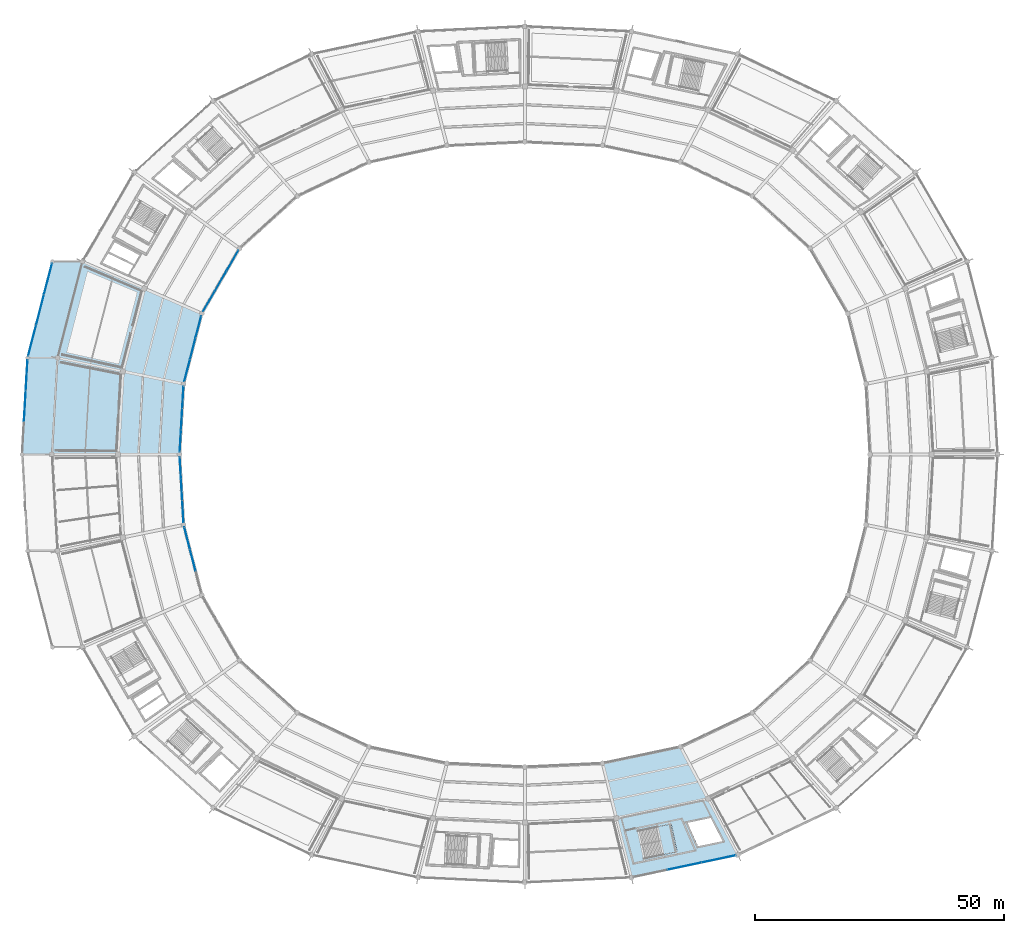
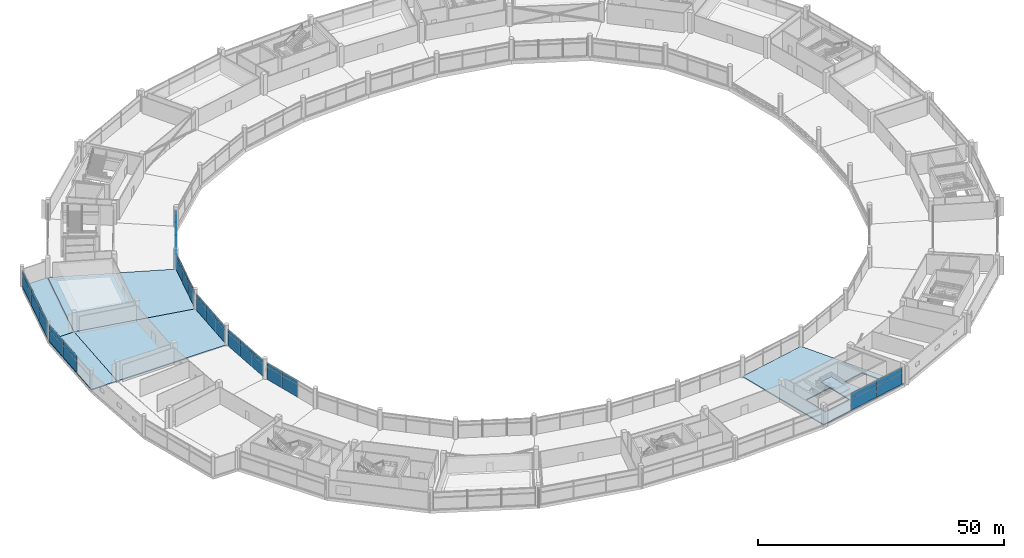
# One storey, part 139 of 184: 42 plates, 6 slabs, 9 elements without a shape of their own.
"""IFC4 building model written with IfcOpenShell, lengths in metres."""

from ifc_helpers import new_model, si_unit, direction, frame, origin, origin_2d, place, context, subcontext, project, spatial, polyline, rectangle, outline, extrude, material, layer, layer_set, type_object, element, aggregate, save


model = new_model("IFC4")

# Units and contexts
model_context = context("Model", 3, precision=1e-05, world=origin(), true_north=direction((0.0, 1.0)))
body_context = subcontext(model_context, "Body", "Model", "MODEL_VIEW")
ifc_project = project(units=[si_unit("LENGTHUNIT", "METRE"), si_unit("AREAUNIT", "SQUARE_METRE"), si_unit("VOLUMEUNIT", "CUBIC_METRE"), si_unit("PLANEANGLEUNIT", "RADIAN"), si_unit("MASSUNIT", "GRAM", prefix="KILO")], contexts=[model_context])

# Site, building, storey
site_placement = place(None, origin())
site = spatial("IfcSite", under=ifc_project, at=site_placement, CompositionType="ELEMENT")
building_placement = place(site_placement, origin())
building = spatial("IfcBuilding", under=site, at=building_placement, Name="Kazemori Nagisa Stadium", CompositionType="ELEMENT")
storey_placement = place(building_placement, frame((0.0, 0.0, 10.5400390625)))
storey = spatial("IfcBuildingStorey", under=building, at=storey_placement, Name="L02", CompositionType="ELEMENT", Elevation=10.5400390625)

# Curtain wall, plates
ifc_material_1 = material(Name="Anodised aluminium 6063-T5", Category="aluminium")
ifc_layer_1 = layer(ifc_material_1, 0.2099609375, Name="Anodised aluminium 6063-T5", Category="aluminium")
ifc_layer_set_1 = layer_set([ifc_layer_1], Name="Anodised aluminium 6063-T5")
curtain_wall_type_1 = type_object("IfcCurtainWallType", Name="CW_L02B_66", PredefinedType="USERDEFINED", material=ifc_layer_set_1)
curtain_wall_1_placement = place(storey_placement, origin())
curtain_wall_1 = element("IfcCurtainWall", 1, at=curtain_wall_1_placement, inside=storey, type_object=curtain_wall_type_1, Name="Unitised curtain wall CW-L02B-66 L02", ObjectType="UNITISED CURTAIN WALL", PredefinedType="USERDEFINED")
ifc_material_2 = material(Name="Anodised aluminium spandrel sheet", Category="aluminium")
ifc_layer_2 = layer(ifc_material_2, 0.044921875, Name="Anodised aluminium spandrel sheet", Category="aluminium")
ifc_layer_set_2 = layer_set([ifc_layer_2], Name="Anodised aluminium spandrel sheet")
plate_type_1 = type_object("IfcPlateType", Name="CWPanel_SPN_L02B_66", PredefinedType="CURTAIN_PANEL", material=ifc_layer_set_2)
plate_1_placement = place(storey_placement, frame((54.310302734375, 113.444091796875, 3.1845703125), z_axis=(0.0, 0.0, 1.0), x_axis=(-0.057601670941, -0.998339645364, 0.0)))
plate_1 = element("IfcPlate", 2, at=plate_1_placement, type_object=plate_type_1, Name="Curtain wall spandrel panel CW-L02B-66-S1", PredefinedType="CURTAIN_PANEL", context=body_context, shape_type="SweptSolid", body=[
    extrude(rectangle(XDim=4.347412109375, YDim=0.044921875, at=origin_2d()), origin(), (0.0, 0.0, 1.0), 1.005615234375),
])
plate_2_placement = place(storey_placement, frame((54.05859375, 109.080078125, 3.1845703125), z_axis=(0.0, 0.0, 1.0), x_axis=(-0.057601670941, -0.998339645364, 0.0)))
plate_2 = element("IfcPlate", 3, at=plate_2_placement, type_object=plate_type_1, Name="Curtain wall spandrel panel CW-L02B-66-S2", PredefinedType="CURTAIN_PANEL", context=body_context, shape_type="SweptSolid", body=[
    extrude(rectangle(XDim=4.347412109375, YDim=0.044921875, at=origin_2d()), origin(), (0.0, 0.0, 1.0), 1.005615234375),
])
plate_3_placement = place(storey_placement, frame((53.806640625, 104.716064453125, 3.1845703125), z_axis=(0.0, 0.0, 1.0), x_axis=(-0.057601670941, -0.998339645364, 0.0)))
plate_3 = element("IfcPlate", 4, at=plate_3_placement, type_object=plate_type_1, Name="Curtain wall spandrel panel CW-L02B-66-S3", PredefinedType="CURTAIN_PANEL", context=body_context, shape_type="SweptSolid", body=[
    extrude(rectangle(XDim=4.347412109375, YDim=0.044921875, at=origin_2d()), origin(), (0.0, 0.0, 1.0), 1.005615234375),
])

curtain_wall_2_placement = place(storey_placement, origin())
curtain_wall_2 = element("IfcCurtainWall", 5, at=curtain_wall_2_placement, inside=storey, type_object=curtain_wall_type_1, Name="Unitised curtain wall CW-L02B-66 L02", ObjectType="UNITISED CURTAIN WALL", PredefinedType="USERDEFINED")
plate_4_placement = place(storey_placement, frame((53.806640625, 99.283935546875, 3.1845703125), z_axis=(0.0, 0.0, 1.0), x_axis=(0.057601670941, -0.998339645364, 0.0)))
plate_4 = element("IfcPlate", 6, at=plate_4_placement, type_object=plate_type_1, Name="Curtain wall spandrel panel CW-L02B-66-S1", PredefinedType="CURTAIN_PANEL", context=body_context, shape_type="SweptSolid", body=[
    extrude(rectangle(XDim=4.347412109375, YDim=0.044921875, at=origin_2d()), origin(), (0.0, 0.0, 1.0), 1.005615234375),
])
plate_5_placement = place(storey_placement, frame((54.05859375, 94.919921875, 3.1845703125), z_axis=(0.0, 0.0, 1.0), x_axis=(0.057601670941, -0.998339645364, 0.0)))
plate_5 = element("IfcPlate", 7, at=plate_5_placement, type_object=plate_type_1, Name="Curtain wall spandrel panel CW-L02B-66-S2", PredefinedType="CURTAIN_PANEL", context=body_context, shape_type="SweptSolid", body=[
    extrude(rectangle(XDim=4.347412109375, YDim=0.044921875, at=origin_2d()), origin(), (0.0, 0.0, 1.0), 1.005615234375),
])
plate_6_placement = place(storey_placement, frame((54.310302734375, 90.555908203125, 3.1845703125), z_axis=(0.0, 0.0, 1.0), x_axis=(0.057601670941, -0.998339645364, 0.0)))
plate_6 = element("IfcPlate", 8, at=plate_6_placement, type_object=plate_type_1, Name="Curtain wall spandrel panel CW-L02B-66-S3", PredefinedType="CURTAIN_PANEL", context=body_context, shape_type="SweptSolid", body=[
    extrude(rectangle(XDim=4.347412109375, YDim=0.044921875, at=origin_2d()), origin(), (0.0, 0.0, 1.0), 1.005615234375),
])

ifc_layer_3 = layer(ifc_material_1, 0.2099609375, Name="Anodised aluminium 6063-T5", Category="aluminium")
ifc_layer_set_3 = layer_set([ifc_layer_3], Name="Anodised aluminium 6063-T5")
curtain_wall_type_2 = type_object("IfcCurtainWallType", Name="CW_L02B_68", PredefinedType="USERDEFINED", material=ifc_layer_set_3)
curtain_wall_3_placement = place(storey_placement, origin())
curtain_wall_3 = element("IfcCurtainWall", 9, at=curtain_wall_3_placement, inside=storey, type_object=curtain_wall_type_2, Name="Unitised curtain wall CW-L02B-68 L02", ObjectType="UNITISED CURTAIN WALL", PredefinedType="USERDEFINED")
ifc_layer_4 = layer(ifc_material_2, 0.044921875, Name="Anodised aluminium spandrel sheet", Category="aluminium")
ifc_layer_set_4 = layer_set([ifc_layer_4], Name="Anodised aluminium spandrel sheet")
plate_type_2 = type_object("IfcPlateType", Name="CWPanel_SPN_L02B_68", PredefinedType="CURTAIN_PANEL", material=ifc_layer_set_4)
plate_7_placement = place(storey_placement, frame((57.4169921875, 127.58740234375, 3.1845703125), z_axis=(0.0, 0.0, 1.0), x_axis=(-0.249964642418, -0.968254965152, 0.0)))
plate_7 = element("IfcPlate", 10, at=plate_7_placement, type_object=plate_type_2, Name="Curtain wall spandrel panel CW-L02B-68-S1", PredefinedType="CURTAIN_PANEL", context=body_context, shape_type="SweptSolid", body=[
    extrude(rectangle(XDim=4.482666015625, YDim=0.044921875, at=origin_2d()), origin(), (0.0, 0.0, 1.0), 1.005615234375),
])
plate_8_placement = place(storey_placement, frame((56.29052734375, 123.2236328125, 3.1845703125), z_axis=(0.0, 0.0, 1.0), x_axis=(-0.249964642418, -0.968254965152, 0.0)))
plate_8 = element("IfcPlate", 11, at=plate_8_placement, type_object=plate_type_2, Name="Curtain wall spandrel panel CW-L02B-68-S2", PredefinedType="CURTAIN_PANEL", context=body_context, shape_type="SweptSolid", body=[
    extrude(rectangle(XDim=4.482666015625, YDim=0.044921875, at=origin_2d()), origin(), (0.0, 0.0, 1.0), 1.005615234375),
])
plate_9_placement = place(storey_placement, frame((55.1640625, 118.860107421875, 3.1845703125), z_axis=(0.0, 0.0, 1.0), x_axis=(-0.249964642418, -0.968254965152, 0.0)))
plate_9 = element("IfcPlate", 12, at=plate_9_placement, type_object=plate_type_2, Name="Curtain wall spandrel panel CW-L02B-68-S3", PredefinedType="CURTAIN_PANEL", context=body_context, shape_type="SweptSolid", body=[
    extrude(rectangle(XDim=4.482666015625, YDim=0.044921875, at=origin_2d()), origin(), (0.0, 0.0, 1.0), 1.005615234375),
])

curtain_wall_4_placement = place(storey_placement, origin())
curtain_wall_4 = element("IfcCurtainWall", 13, at=curtain_wall_4_placement, inside=storey, type_object=curtain_wall_type_2, Name="Unitised curtain wall CW-L02B-68 L02", ObjectType="UNITISED CURTAIN WALL", PredefinedType="USERDEFINED")
plate_10_placement = place(storey_placement, frame((55.1640625, 85.139892578125, 3.1845703125), z_axis=(0.0, 0.0, 1.0), x_axis=(0.249964642418, -0.968254965152, 0.0)))
plate_10 = element("IfcPlate", 14, at=plate_10_placement, type_object=plate_type_2, Name="Curtain wall spandrel panel CW-L02B-68-S1", PredefinedType="CURTAIN_PANEL", context=body_context, shape_type="SweptSolid", body=[
    extrude(rectangle(XDim=4.482666015625, YDim=0.044921875, at=origin_2d()), origin(), (0.0, 0.0, 1.0), 1.005615234375),
])
plate_11_placement = place(storey_placement, frame((56.29052734375, 80.7763671875, 3.1845703125), z_axis=(0.0, 0.0, 1.0), x_axis=(0.249964642418, -0.968254965152, 0.0)))
plate_11 = element("IfcPlate", 15, at=plate_11_placement, type_object=plate_type_2, Name="Curtain wall spandrel panel CW-L02B-68-S2", PredefinedType="CURTAIN_PANEL", context=body_context, shape_type="SweptSolid", body=[
    extrude(rectangle(XDim=4.482666015625, YDim=0.044921875, at=origin_2d()), origin(), (0.0, 0.0, 1.0), 1.005615234375),
])

ifc_layer_5 = layer(ifc_material_1, 0.2099609375, Name="Anodised aluminium 6063-T5", Category="aluminium")
ifc_layer_set_5 = layer_set([ifc_layer_5], Name="Anodised aluminium 6063-T5")
curtain_wall_type_3 = type_object("IfcCurtainWallType", Name="CW_L02B_71", PredefinedType="USERDEFINED", material=ifc_layer_set_5)
curtain_wall_5_placement = place(storey_placement, origin())
curtain_wall_5 = element("IfcCurtainWall", 16, at=curtain_wall_5_placement, inside=storey, type_object=curtain_wall_type_3, Name="Unitised curtain wall CW-L02B-71 L02", ObjectType="UNITISED CURTAIN WALL", PredefinedType="USERDEFINED")
ifc_layer_6 = layer(ifc_material_2, 0.044921875, Name="Anodised aluminium spandrel sheet", Category="aluminium")
ifc_layer_set_6 = layer_set([ifc_layer_6], Name="Anodised aluminium spandrel sheet")
plate_type_3 = type_object("IfcPlateType", Name="CWPanel_SPN_L02B_71", PredefinedType="CURTAIN_PANEL", material=ifc_layer_set_6)
plate_12_placement = place(storey_placement, frame((64.25537109375, 140.87890625, 3.1845703125), z_axis=(0.0, 0.0, 1.0), x_axis=(-0.501611590054, -0.865092950337, 0.0)))
plate_12 = element("IfcPlate", 17, at=plate_12_placement, type_object=plate_type_3, Name="Curtain wall spandrel panel CW-L02B-71-S1", PredefinedType="CURTAIN_PANEL", context=body_context, shape_type="SweptSolid", body=[
    extrude(rectangle(XDim=4.659423828125, YDim=0.044921875, at=origin_2d()), origin(), (0.0, 0.0, 1.0), 1.005615234375),
])
plate_13_placement = place(storey_placement, frame((61.90625, 136.827392578125, 3.1845703125), z_axis=(0.0, 0.0, 1.0), x_axis=(-0.501611590054, -0.865092950337, 0.0)))
plate_13 = element("IfcPlate", 18, at=plate_13_placement, type_object=plate_type_3, Name="Curtain wall spandrel panel CW-L02B-71-S2", PredefinedType="CURTAIN_PANEL", context=body_context, shape_type="SweptSolid", body=[
    extrude(rectangle(XDim=4.659423828125, YDim=0.044921875, at=origin_2d()), origin(), (0.0, 0.0, 1.0), 1.005615234375),
])
plate_14_placement = place(storey_placement, frame((59.556884765625, 132.775634765625, 3.1845703125), z_axis=(0.0, 0.0, 1.0), x_axis=(-0.501611590054, -0.865092950337, 0.0)))
plate_14 = element("IfcPlate", 19, at=plate_14_placement, type_object=plate_type_3, Name="Curtain wall spandrel panel CW-L02B-71-S3", PredefinedType="CURTAIN_PANEL", context=body_context, shape_type="SweptSolid", body=[
    extrude(rectangle(XDim=4.659423828125, YDim=0.044921875, at=origin_2d()), origin(), (0.0, 0.0, 1.0), 1.005615234375),
])

ifc_layer_7 = layer(ifc_material_1, 0.2099609375, Name="Anodised aluminium 6063-T5", Category="aluminium")
ifc_layer_set_7 = layer_set([ifc_layer_7], Name="Anodised aluminium 6063-T5")
curtain_wall_type_4 = type_object("IfcCurtainWallType", Name="CW_L02R3_105", PredefinedType="USERDEFINED", material=ifc_layer_set_7)
curtain_wall_6_placement = place(storey_placement, origin())
curtain_wall_6 = element("IfcCurtainWall", 20, at=curtain_wall_6_placement, inside=storey, type_object=curtain_wall_type_4, Name="Unitised curtain wall CW-L02R3-105 L02", ObjectType="UNITISED CURTAIN WALL", PredefinedType="USERDEFINED")
ifc_layer_8 = layer(ifc_material_2, 0.048095703125, Name="Anodised aluminium spandrel sheet", Category="aluminium")
ifc_layer_set_8 = layer_set([ifc_layer_8], Name="Anodised aluminium spandrel sheet")
plate_type_4 = type_object("IfcPlateType", Name="CWPanel_SPN_L02R3_105", PredefinedType="CURTAIN_PANEL", material=ifc_layer_set_8)
plate_15_placement = place(storey_placement, frame((155.1162109375, 19.2744140625, 2.84912109375), z_axis=(0.0, 0.0, 1.0), x_axis=(0.978344955407, 0.206981033502, 0.0)))
plate_15 = element("IfcPlate", 21, at=plate_15_placement, type_object=plate_type_4, Name="Curtain wall spandrel panel CW-L02R3-105-S2", PredefinedType="CURTAIN_PANEL", context=body_context, shape_type="SweptSolid", body=[
    extrude(rectangle(XDim=6.942626953125, YDim=0.048095703125, at=origin_2d()), origin(), (0.0, 0.0, 1.0), 1.3408203125),
])
plate_16_placement = place(storey_placement, frame((161.93212890625, 20.716552734375, 2.84912109375), z_axis=(0.0, 0.0, 1.0), x_axis=(0.978344955407, 0.206981033502, 0.0)))
plate_16 = element("IfcPlate", 22, at=plate_16_placement, type_object=plate_type_4, Name="Curtain wall spandrel panel CW-L02R3-105-S3", PredefinedType="CURTAIN_PANEL", context=body_context, shape_type="SweptSolid", body=[
    extrude(rectangle(XDim=6.942626953125, YDim=0.048095703125, at=origin_2d()), origin(), (0.0, 0.0, 1.0), 1.3408203125),
])

ifc_layer_9 = layer(ifc_material_1, 0.2099609375, Name="Anodised aluminium 6063-T5", Category="aluminium")
ifc_layer_set_9 = layer_set([ifc_layer_9], Name="Anodised aluminium 6063-T5")
curtain_wall_type_5 = type_object("IfcCurtainWallType", Name="CW_L02R3_93", PredefinedType="USERDEFINED", material=ifc_layer_set_9)
curtain_wall_7_placement = place(storey_placement, origin())
curtain_wall_7 = element("IfcCurtainWall", 23, at=curtain_wall_7_placement, inside=storey, type_object=curtain_wall_type_5, Name="Unitised curtain wall CW-L02R3-93 L02", ObjectType="UNITISED CURTAIN WALL", PredefinedType="USERDEFINED")
ifc_layer_10 = layer(ifc_material_2, 0.048095703125, Name="Anodised aluminium spandrel sheet", Category="aluminium")
ifc_layer_set_10 = layer_set([ifc_layer_10], Name="Anodised aluminium spandrel sheet")
plate_type_5 = type_object("IfcPlateType", Name="CWPanel_SPN_L02R3_93", PredefinedType="CURTAIN_PANEL", material=ifc_layer_set_10)
plate_17_placement = place(storey_placement, frame((22.91552734375, 117.86865234375, 2.84912109375), z_axis=(0.0, 0.0, 1.0), x_axis=(-0.057601670941, -0.998339645364, 0.0)))
plate_17 = element("IfcPlate", 24, at=plate_17_placement, type_object=plate_type_5, Name="Curtain wall spandrel panel CW-L02R3-93-S1", PredefinedType="CURTAIN_PANEL", context=body_context, shape_type="SweptSolid", body=[
    extrude(rectangle(XDim=6.156005859375, YDim=0.048095703125, at=origin_2d()), origin(), (0.0, 0.0, 1.0), 1.3408203125),
])
plate_18_placement = place(storey_placement, frame((22.5595703125, 111.69873046875, 2.84912109375), z_axis=(0.0, 0.0, 1.0), x_axis=(-0.057601670941, -0.998339645364, 0.0)))
plate_18 = element("IfcPlate", 25, at=plate_18_placement, type_object=plate_type_5, Name="Curtain wall spandrel panel CW-L02R3-93-S2", PredefinedType="CURTAIN_PANEL", context=body_context, shape_type="SweptSolid", body=[
    extrude(rectangle(XDim=6.156005859375, YDim=0.048095703125, at=origin_2d()), origin(), (0.0, 0.0, 1.0), 1.3408203125),
])

ifc_layer_11 = layer(ifc_material_1, 0.2099609375, Name="Anodised aluminium 6063-T5", Category="aluminium")
ifc_layer_set_11 = layer_set([ifc_layer_11], Name="Anodised aluminium 6063-T5")
curtain_wall_type_6 = type_object("IfcCurtainWallType", Name="CW_L02R3_96", PredefinedType="USERDEFINED", material=ifc_layer_set_11)
curtain_wall_8_placement = place(storey_placement, origin())
curtain_wall_8 = element("IfcCurtainWall", 26, at=curtain_wall_8_placement, inside=storey, type_object=curtain_wall_type_6, Name="Unitised curtain wall CW-L02R3-96 L02", ObjectType="UNITISED CURTAIN WALL", PredefinedType="USERDEFINED")
ifc_layer_12 = layer(ifc_material_2, 0.048095703125, Name="Anodised aluminium spandrel sheet", Category="aluminium")
ifc_layer_set_12 = layer_set([ifc_layer_12], Name="Anodised aluminium spandrel sheet")
plate_type_6 = type_object("IfcPlateType", Name="CWPanel_SPN_L02R3_96", PredefinedType="CURTAIN_PANEL", material=ifc_layer_set_12)
plate_19_placement = place(storey_placement, frame((27.208251953125, 137.237060546875, 2.84912109375), z_axis=(0.0, 0.0, 1.0), x_axis=(-0.249964642418, -0.968254965152, 0.0)))
plate_19 = element("IfcPlate", 27, at=plate_19_placement, type_object=plate_type_6, Name="Curtain wall spandrel panel CW-L02R3-96-S1", PredefinedType="CURTAIN_PANEL", context=body_context, shape_type="SweptSolid", body=[
    extrude(rectangle(XDim=6.34130859375, YDim=0.048095703125, at=origin_2d()), origin(), (0.0, 0.0, 1.0), 1.3408203125),
])
plate_20_placement = place(storey_placement, frame((25.6171875, 131.07373046875, 2.84912109375), z_axis=(0.0, 0.0, 1.0), x_axis=(-0.249964642418, -0.968254965152, 0.0)))
plate_20 = element("IfcPlate", 28, at=plate_20_placement, type_object=plate_type_6, Name="Curtain wall spandrel panel CW-L02R3-96-S2", PredefinedType="CURTAIN_PANEL", context=body_context, shape_type="SweptSolid", body=[
    extrude(rectangle(XDim=6.34130859375, YDim=0.048095703125, at=origin_2d()), origin(), (0.0, 0.0, 1.0), 1.3408203125),
])
plate_21_placement = place(storey_placement, frame((24.02587890625, 124.91015625, 2.84912109375), z_axis=(0.0, 0.0, 1.0), x_axis=(-0.249964642418, -0.968254965152, 0.0)))
plate_21 = element("IfcPlate", 29, at=plate_21_placement, type_object=plate_type_6, Name="Curtain wall spandrel panel CW-L02R3-96-S3", PredefinedType="CURTAIN_PANEL", context=body_context, shape_type="SweptSolid", body=[
    extrude(rectangle(XDim=6.34130859375, YDim=0.048095703125, at=origin_2d()), origin(), (0.0, 0.0, 1.0), 1.3408203125),
])

# Plate
ifc_material_3 = material(Name="Low-e laminated double glazing", Category="glass")
ifc_layer_13 = layer(ifc_material_3, 0.031982421875, Name="Low-e laminated double glazing", Category="glass")
ifc_layer_set_13 = layer_set([ifc_layer_13], Name="Low-e laminated double glazing")
plate_type_7 = type_object("IfcPlateType", Name="CWPanel_VIS_L02B_66", PredefinedType="CURTAIN_PANEL", material=ifc_layer_set_13)
plate_22_placement = place(storey_placement, frame((54.310302734375, 113.444091796875, 0.0), z_axis=(0.0, 0.0, 1.0), x_axis=(-0.057601670941, -0.998339645364, 0.0)))
plate_22 = element("IfcPlate", 30, at=plate_22_placement, type_object=plate_type_7, Name="Curtain wall vision panel CW-L02B-66-V1", PredefinedType="CURTAIN_PANEL", context=body_context, shape_type="SweptSolid", body=[
    extrude(rectangle(XDim=4.347412109375, YDim=0.031982421875, at=origin_2d()), origin(), (0.0, 0.0, 1.0), 3.184326171875),
])

plate_23_placement = place(storey_placement, frame((54.05859375, 109.080078125, 0.0), z_axis=(0.0, 0.0, 1.0), x_axis=(-0.057601670941, -0.998339645364, 0.0)))
plate_23 = element("IfcPlate", 31, at=plate_23_placement, type_object=plate_type_7, Name="Curtain wall vision panel CW-L02B-66-V2", PredefinedType="CURTAIN_PANEL", context=body_context, shape_type="SweptSolid", body=[
    extrude(rectangle(XDim=4.347412109375, YDim=0.031982421875, at=origin_2d()), origin(), (0.0, 0.0, 1.0), 3.184326171875),
])

plate_24_placement = place(storey_placement, frame((53.806640625, 104.716064453125, 0.0), z_axis=(0.0, 0.0, 1.0), x_axis=(-0.057601670941, -0.998339645364, 0.0)))
plate_24 = element("IfcPlate", 32, at=plate_24_placement, type_object=plate_type_7, Name="Curtain wall vision panel CW-L02B-66-V3", PredefinedType="CURTAIN_PANEL", context=body_context, shape_type="SweptSolid", body=[
    extrude(rectangle(XDim=4.347412109375, YDim=0.031982421875, at=origin_2d()), origin(), (0.0, 0.0, 1.0), 3.184326171875),
])

aggregate(curtain_wall_1, [plate_22, plate_1, plate_23, plate_2, plate_24, plate_3])

plate_25_placement = place(storey_placement, frame((53.806640625, 99.283935546875, 0.0), z_axis=(0.0, 0.0, 1.0), x_axis=(0.057601670941, -0.998339645364, 0.0)))
plate_25 = element("IfcPlate", 33, at=plate_25_placement, type_object=plate_type_7, Name="Curtain wall vision panel CW-L02B-66-V1", PredefinedType="CURTAIN_PANEL", context=body_context, shape_type="SweptSolid", body=[
    extrude(rectangle(XDim=4.347412109375, YDim=0.031982421875, at=origin_2d()), origin(), (0.0, 0.0, 1.0), 3.184326171875),
])

plate_26_placement = place(storey_placement, frame((54.05859375, 94.919921875, 0.0), z_axis=(0.0, 0.0, 1.0), x_axis=(0.057601670941, -0.998339645364, 0.0)))
plate_26 = element("IfcPlate", 34, at=plate_26_placement, type_object=plate_type_7, Name="Curtain wall vision panel CW-L02B-66-V2", PredefinedType="CURTAIN_PANEL", context=body_context, shape_type="SweptSolid", body=[
    extrude(rectangle(XDim=4.347412109375, YDim=0.031982421875, at=origin_2d()), origin(), (0.0, 0.0, 1.0), 3.184326171875),
])

plate_27_placement = place(storey_placement, frame((54.310302734375, 90.555908203125, 0.0), z_axis=(0.0, 0.0, 1.0), x_axis=(0.057601670941, -0.998339645364, 0.0)))
plate_27 = element("IfcPlate", 35, at=plate_27_placement, type_object=plate_type_7, Name="Curtain wall vision panel CW-L02B-66-V3", PredefinedType="CURTAIN_PANEL", context=body_context, shape_type="SweptSolid", body=[
    extrude(rectangle(XDim=4.347412109375, YDim=0.031982421875, at=origin_2d()), origin(), (0.0, 0.0, 1.0), 3.184326171875),
])

aggregate(curtain_wall_2, [plate_25, plate_4, plate_26, plate_5, plate_27, plate_6])

ifc_layer_14 = layer(ifc_material_3, 0.031982421875, Name="Low-e laminated double glazing", Category="glass")
ifc_layer_set_14 = layer_set([ifc_layer_14], Name="Low-e laminated double glazing")
plate_type_8 = type_object("IfcPlateType", Name="CWPanel_VIS_L02B_68", PredefinedType="CURTAIN_PANEL", material=ifc_layer_set_14)
plate_28_placement = place(storey_placement, frame((57.4169921875, 127.58740234375, 0.0), z_axis=(0.0, 0.0, 1.0), x_axis=(-0.249964642418, -0.968254965152, 0.0)))
plate_28 = element("IfcPlate", 36, at=plate_28_placement, type_object=plate_type_8, Name="Curtain wall vision panel CW-L02B-68-V1", PredefinedType="CURTAIN_PANEL", context=body_context, shape_type="SweptSolid", body=[
    extrude(rectangle(XDim=4.482666015625, YDim=0.031982421875, at=origin_2d()), origin(), (0.0, 0.0, 1.0), 3.184326171875),
])

plate_29_placement = place(storey_placement, frame((56.29052734375, 123.2236328125, 0.0), z_axis=(0.0, 0.0, 1.0), x_axis=(-0.249964642418, -0.968254965152, 0.0)))
plate_29 = element("IfcPlate", 37, at=plate_29_placement, type_object=plate_type_8, Name="Curtain wall vision panel CW-L02B-68-V2", PredefinedType="CURTAIN_PANEL", context=body_context, shape_type="SweptSolid", body=[
    extrude(rectangle(XDim=4.482666015625, YDim=0.031982421875, at=origin_2d()), origin(), (0.0, 0.0, 1.0), 3.184326171875),
])

plate_30_placement = place(storey_placement, frame((55.1640625, 118.860107421875, 0.0), z_axis=(0.0, 0.0, 1.0), x_axis=(-0.249964642418, -0.968254965152, 0.0)))
plate_30 = element("IfcPlate", 38, at=plate_30_placement, type_object=plate_type_8, Name="Curtain wall vision panel CW-L02B-68-V3", PredefinedType="CURTAIN_PANEL", context=body_context, shape_type="SweptSolid", body=[
    extrude(rectangle(XDim=4.482666015625, YDim=0.031982421875, at=origin_2d()), origin(), (0.0, 0.0, 1.0), 3.184326171875),
])

aggregate(curtain_wall_3, [plate_28, plate_7, plate_29, plate_8, plate_30, plate_9])

plate_31_placement = place(storey_placement, frame((55.1640625, 85.139892578125, 0.0), z_axis=(0.0, 0.0, 1.0), x_axis=(0.249964642418, -0.968254965152, 0.0)))
plate_31 = element("IfcPlate", 39, at=plate_31_placement, type_object=plate_type_8, Name="Curtain wall vision panel CW-L02B-68-V1", PredefinedType="CURTAIN_PANEL", context=body_context, shape_type="SweptSolid", body=[
    extrude(rectangle(XDim=4.482666015625, YDim=0.031982421875, at=origin_2d()), origin(), (0.0, 0.0, 1.0), 3.184326171875),
])

plate_32_placement = place(storey_placement, frame((56.29052734375, 80.7763671875, 0.0), z_axis=(0.0, 0.0, 1.0), x_axis=(0.249964642418, -0.968254965152, 0.0)))
plate_32 = element("IfcPlate", 40, at=plate_32_placement, type_object=plate_type_8, Name="Curtain wall vision panel CW-L02B-68-V2", PredefinedType="CURTAIN_PANEL", context=body_context, shape_type="SweptSolid", body=[
    extrude(rectangle(XDim=4.482666015625, YDim=0.031982421875, at=origin_2d()), origin(), (0.0, 0.0, 1.0), 3.184326171875),
])

aggregate(curtain_wall_4, [plate_31, plate_10, plate_32, plate_11])

ifc_layer_15 = layer(ifc_material_3, 0.031982421875, Name="Low-e laminated double glazing", Category="glass")
ifc_layer_set_15 = layer_set([ifc_layer_15], Name="Low-e laminated double glazing")
plate_type_9 = type_object("IfcPlateType", Name="CWPanel_VIS_L02B_71", PredefinedType="CURTAIN_PANEL", material=ifc_layer_set_15)
plate_33_placement = place(storey_placement, frame((64.25537109375, 140.87890625, 0.0), z_axis=(0.0, 0.0, 1.0), x_axis=(-0.501611590054, -0.865092950337, 0.0)))
plate_33 = element("IfcPlate", 41, at=plate_33_placement, type_object=plate_type_9, Name="Curtain wall vision panel CW-L02B-71-V1", PredefinedType="CURTAIN_PANEL", context=body_context, shape_type="SweptSolid", body=[
    extrude(rectangle(XDim=4.659423828125, YDim=0.031982421875, at=origin_2d()), origin(), (0.0, 0.0, 1.0), 3.184326171875),
])

plate_34_placement = place(storey_placement, frame((61.90625, 136.827392578125, 0.0), z_axis=(0.0, 0.0, 1.0), x_axis=(-0.501611590054, -0.865092950337, 0.0)))
plate_34 = element("IfcPlate", 42, at=plate_34_placement, type_object=plate_type_9, Name="Curtain wall vision panel CW-L02B-71-V2", PredefinedType="CURTAIN_PANEL", context=body_context, shape_type="SweptSolid", body=[
    extrude(rectangle(XDim=4.659423828125, YDim=0.031982421875, at=origin_2d()), origin(), (0.0, 0.0, 1.0), 3.184326171875),
])

plate_35_placement = place(storey_placement, frame((59.556884765625, 132.775634765625, 0.0), z_axis=(0.0, 0.0, 1.0), x_axis=(-0.501611590054, -0.865092950337, 0.0)))
plate_35 = element("IfcPlate", 43, at=plate_35_placement, type_object=plate_type_9, Name="Curtain wall vision panel CW-L02B-71-V3", PredefinedType="CURTAIN_PANEL", context=body_context, shape_type="SweptSolid", body=[
    extrude(rectangle(XDim=4.659423828125, YDim=0.031982421875, at=origin_2d()), origin(), (0.0, 0.0, 1.0), 3.184326171875),
])

aggregate(curtain_wall_5, [plate_33, plate_12, plate_34, plate_13, plate_35, plate_14])

ifc_layer_16 = layer(ifc_material_3, 0.030029296875, Name="Low-e laminated double glazing", Category="glass")
ifc_layer_set_16 = layer_set([ifc_layer_16], Name="Low-e laminated double glazing")
plate_type_10 = type_object("IfcPlateType", Name="CWPanel_VIS_L02R3_105", PredefinedType="CURTAIN_PANEL", material=ifc_layer_set_16)
plate_36_placement = place(storey_placement, frame((155.1162109375, 19.2744140625, 0.0), z_axis=(0.0, 0.0, 1.0), x_axis=(0.978344955407, 0.206981033502, 0.0)))
plate_36 = element("IfcPlate", 44, at=plate_36_placement, type_object=plate_type_10, Name="Curtain wall vision panel CW-L02R3-105-V2", PredefinedType="CURTAIN_PANEL", context=body_context, shape_type="SweptSolid", body=[
    extrude(rectangle(XDim=6.942626953125, YDim=0.030029296875, at=origin_2d()), origin(), (0.0, 0.0, 1.0), 2.84912109375),
])

plate_37_placement = place(storey_placement, frame((161.93212890625, 20.716552734375, 0.0), z_axis=(0.0, 0.0, 1.0), x_axis=(0.978344955407, 0.206981033502, 0.0)))
plate_37 = element("IfcPlate", 45, at=plate_37_placement, type_object=plate_type_10, Name="Curtain wall vision panel CW-L02R3-105-V3", PredefinedType="CURTAIN_PANEL", context=body_context, shape_type="SweptSolid", body=[
    extrude(rectangle(XDim=6.942626953125, YDim=0.030029296875, at=origin_2d()), origin(), (0.0, 0.0, 1.0), 2.84912109375),
])

aggregate(curtain_wall_6, [plate_36, plate_15, plate_37, plate_16])

ifc_layer_17 = layer(ifc_material_3, 0.030029296875, Name="Low-e laminated double glazing", Category="glass")
ifc_layer_set_17 = layer_set([ifc_layer_17], Name="Low-e laminated double glazing")
plate_type_11 = type_object("IfcPlateType", Name="CWPanel_VIS_L02R3_93", PredefinedType="CURTAIN_PANEL", material=ifc_layer_set_17)
plate_38_placement = place(storey_placement, frame((22.91552734375, 117.86865234375, 0.0), z_axis=(0.0, 0.0, 1.0), x_axis=(-0.057601670941, -0.998339645364, 0.0)))
plate_38 = element("IfcPlate", 46, at=plate_38_placement, type_object=plate_type_11, Name="Curtain wall vision panel CW-L02R3-93-V1", PredefinedType="CURTAIN_PANEL", context=body_context, shape_type="SweptSolid", body=[
    extrude(rectangle(XDim=6.156005859375, YDim=0.030029296875, at=origin_2d()), origin(), (0.0, 0.0, 1.0), 2.84912109375),
])

plate_39_placement = place(storey_placement, frame((22.5595703125, 111.69873046875, 0.0), z_axis=(0.0, 0.0, 1.0), x_axis=(-0.057601670941, -0.998339645364, 0.0)))
plate_39 = element("IfcPlate", 47, at=plate_39_placement, type_object=plate_type_11, Name="Curtain wall vision panel CW-L02R3-93-V2", PredefinedType="CURTAIN_PANEL", context=body_context, shape_type="SweptSolid", body=[
    extrude(rectangle(XDim=6.156005859375, YDim=0.030029296875, at=origin_2d()), origin(), (0.0, 0.0, 1.0), 2.84912109375),
])

aggregate(curtain_wall_7, [plate_38, plate_17, plate_39, plate_18])

ifc_layer_18 = layer(ifc_material_3, 0.030029296875, Name="Low-e laminated double glazing", Category="glass")
ifc_layer_set_18 = layer_set([ifc_layer_18], Name="Low-e laminated double glazing")
plate_type_12 = type_object("IfcPlateType", Name="CWPanel_VIS_L02R3_96", PredefinedType="CURTAIN_PANEL", material=ifc_layer_set_18)
plate_40_placement = place(storey_placement, frame((27.208251953125, 137.237060546875, 0.0), z_axis=(0.0, 0.0, 1.0), x_axis=(-0.249964642418, -0.968254965152, 0.0)))
plate_40 = element("IfcPlate", 48, at=plate_40_placement, type_object=plate_type_12, Name="Curtain wall vision panel CW-L02R3-96-V1", PredefinedType="CURTAIN_PANEL", context=body_context, shape_type="SweptSolid", body=[
    extrude(rectangle(XDim=6.34130859375, YDim=0.030029296875, at=origin_2d()), origin(), (0.0, 0.0, 1.0), 2.84912109375),
])

plate_41_placement = place(storey_placement, frame((25.6171875, 131.07373046875, 0.0), z_axis=(0.0, 0.0, 1.0), x_axis=(-0.249964642418, -0.968254965152, 0.0)))
plate_41 = element("IfcPlate", 49, at=plate_41_placement, type_object=plate_type_12, Name="Curtain wall vision panel CW-L02R3-96-V2", PredefinedType="CURTAIN_PANEL", context=body_context, shape_type="SweptSolid", body=[
    extrude(rectangle(XDim=6.34130859375, YDim=0.030029296875, at=origin_2d()), origin(), (0.0, 0.0, 1.0), 2.84912109375),
])

plate_42_placement = place(storey_placement, frame((24.02587890625, 124.91015625, 0.0), z_axis=(0.0, 0.0, 1.0), x_axis=(-0.249964642418, -0.968254965152, 0.0)))
plate_42 = element("IfcPlate", 50, at=plate_42_placement, type_object=plate_type_12, Name="Curtain wall vision panel CW-L02R3-96-V3", PredefinedType="CURTAIN_PANEL", context=body_context, shape_type="SweptSolid", body=[
    extrude(rectangle(XDim=6.34130859375, YDim=0.030029296875, at=origin_2d()), origin(), (0.0, 0.0, 1.0), 2.84912109375),
])

aggregate(curtain_wall_8, [plate_40, plate_19, plate_41, plate_20, plate_42, plate_21])

# Slabs
ifc_material_4 = material(Name="Concrete C36/45 (Fc36)", Category="concrete")
ifc_layer_19 = layer(ifc_material_4, 0.260009765625, Name="Concrete C36/45 (Fc36)", Category="concrete")
ifc_layer_set_19 = layer_set([ifc_layer_19], Name="Concrete C36/45 (Fc36)")
slab_type_1 = type_object("IfcSlabType", Name="Slab_SL-CONC-260", PredefinedType="FLOOR", material=ifc_layer_set_19)
slab_1_placement = place(storey_placement, frame((0.0, 0.0, -0.260009765625)))
element("IfcSlab", 51, at=slab_1_placement, inside=storey, type_object=slab_type_1, Name="Concourse floor slab L02 bay 13", PredefinedType="FLOOR", context=body_context, shape_type="SweptSolid", body=[
    extrude(outline(polyline([(58.114013671875, 130.287109375), (54.467041015625, 116.160400390625), (29.119140625, 121.397705078125), (34.114990234375, 140.74951171875), (58.114013671875, 130.287109375)])), origin(), (0.0, 0.0, 1.0), 0.260009765625),
])
slab_2_placement = place(storey_placement, frame((0.0, 0.0, -0.260009765625)))
element("IfcSlab", 52, at=slab_2_placement, inside=storey, type_object=slab_type_1, Name="Concourse floor slab L02 bay 14", PredefinedType="FLOOR", context=body_context, shape_type="SweptSolid", body=[
    extrude(outline(polyline([(54.467041015625, 116.160400390625), (53.64990234375, 102.0), (28.0, 102.0), (29.119140625, 121.397705078125), (54.467041015625, 116.160400390625)])), origin(), (0.0, 0.0, 1.0), 0.260009765625),
])
slab_3_placement = place(storey_placement, frame((0.0, 0.0, -0.260009765625)))
element("IfcSlab", 53, at=slab_3_placement, inside=storey, type_object=slab_type_1, Name="Concourse floor slab L02 bay 23", PredefinedType="FLOOR", context=body_context, shape_type="SweptSolid", body=[
    extrude(outline(polyline([(138.64208984375, 39.959716796875), (154.24755859375, 43.260986328125), (165.8046875, 21.53564453125), (144.427734375, 17.01318359375), (138.64208984375, 39.959716796875)]), holes=[polyline([(145.77685546875, 26.353271484375), (152.16064453125, 27.70361328125), (153.34033203125, 22.127197265625), (146.956787109375, 20.776611328125), (145.77685546875, 26.353271484375)]), polyline([(155.704833984375, 27.992919921875), (160.3427734375, 28.97412109375), (162.738525390625, 24.288818359375), (157.802978515625, 23.24462890625), (155.704833984375, 27.992919921875)])]), origin(), (0.0, 0.0, 1.0), 0.260009765625),
])
slab_4_placement = place(storey_placement, frame((0.0, 0.0, -0.260009765625)))
element("IfcSlab", 54, at=slab_4_placement, inside=storey, type_object=slab_type_1, Name="West grandstand floor slab L02 B13", PredefinedType="FLOOR", context=body_context, shape_type="SweptSolid", body=[
    extrude(outline(polyline([(34.114990234375, 140.74951171875), (29.119140625, 121.397705078125), (23.119140625, 121.397705078125), (28.114990234375, 140.74951171875), (34.114990234375, 140.74951171875)])), origin(), (0.0, 0.0, 1.0), 0.260009765625),
])
slab_5_placement = place(storey_placement, frame((0.0, 0.0, -0.260009765625)))
element("IfcSlab", 55, at=slab_5_placement, inside=storey, type_object=slab_type_1, Name="West grandstand floor slab L02 B14", PredefinedType="FLOOR", context=body_context, shape_type="SweptSolid", body=[
    extrude(outline(polyline([(29.119140625, 121.397705078125), (28.0, 102.0), (22.0, 102.0), (23.119140625, 121.397705078125), (29.119140625, 121.397705078125)])), origin(), (0.0, 0.0, 1.0), 0.260009765625),
])

# Stair, slab
stair_type = type_object("IfcStairType", Name="Stair_CORE_30", PredefinedType="TWO_STRAIGHT_RUN_STAIR", material=ifc_material_4)
stair_placement = place(storey_placement, origin())
stair = element("IfcStair", 56, at=stair_placement, inside=storey, type_object=stair_type, Name="Exit stair ST06 L02", PredefinedType="TWO_STRAIGHT_RUN_STAIR")
ifc_layer_20 = layer(ifc_material_4, 0.199951171875, Name="Concrete C36/45 (Fc36)", Category="concrete")
ifc_layer_set_20 = layer_set([ifc_layer_20], Name="Concrete C36/45 (Fc36)")
slab_type_2 = type_object("IfcSlabType", Name="Slab_SL-LND-200", PredefinedType="LANDING", material=ifc_layer_set_20)
slab_6_placement = place(storey_placement, frame((0.0, 0.0, 2.349853515625)))
slab_6 = element("IfcSlab", 57, at=slab_6_placement, type_object=slab_type_2, Name="Exit stair ST06 L02 mid-landing", PredefinedType="LANDING", context=body_context, shape_type="SweptSolid", body=[
    extrude(outline(polyline([(149.651123046875, 27.1728515625), (152.439453125, 27.7626953125), (153.619140625, 22.18603515625), (150.8310546875, 21.59619140625), (149.651123046875, 27.1728515625)])), origin(), (0.0, 0.0, 1.0), 0.2001953125),
])
aggregate(stair, [slab_6])

save(model, "model.ifc")
